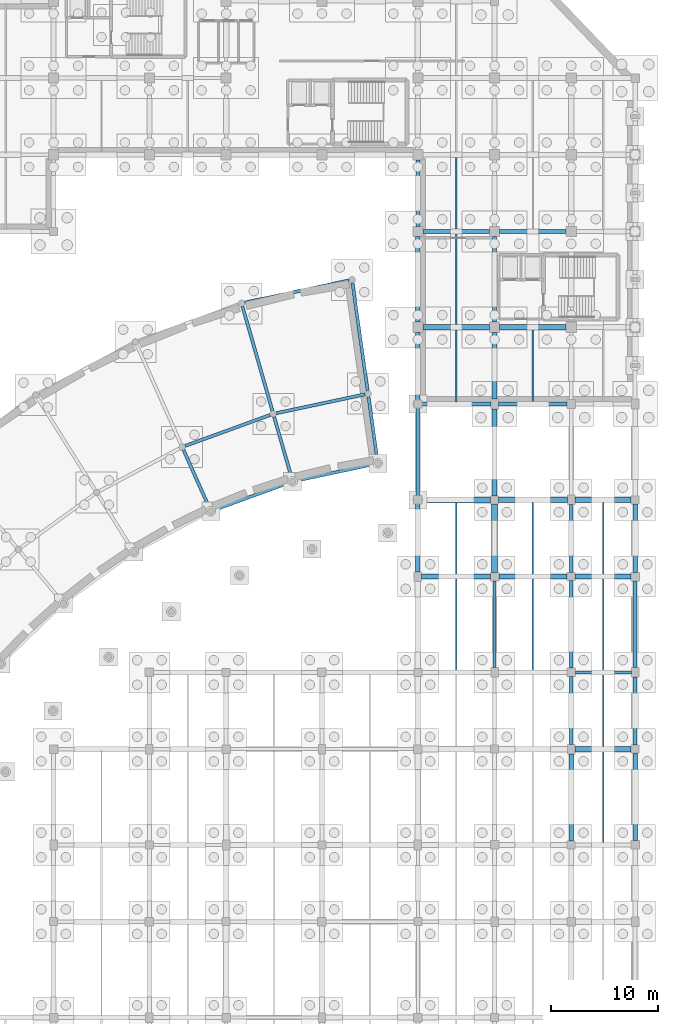
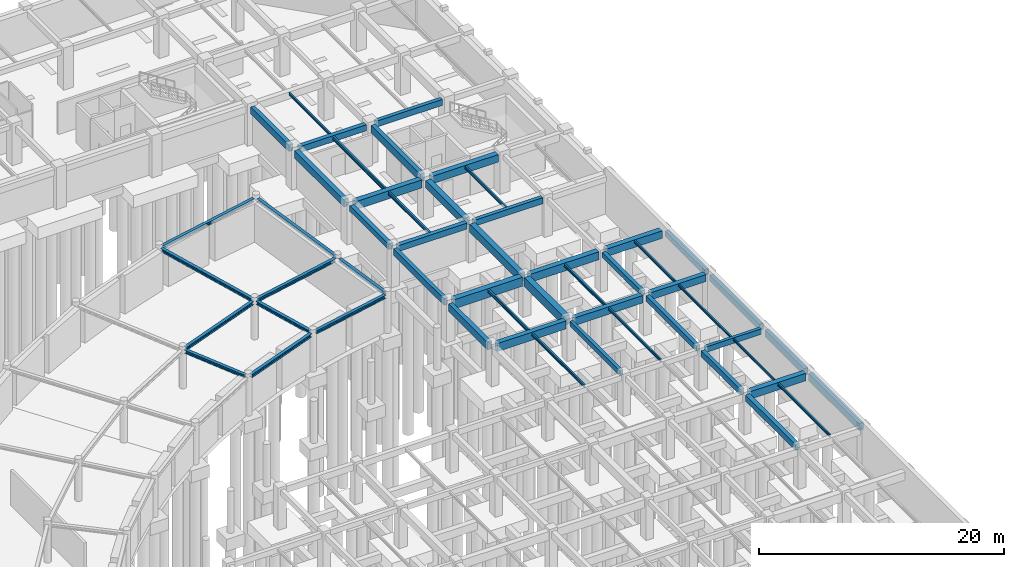
# One storey, part 26 of 42: 54 beams.
"""IFC4 building model written with IfcOpenShell, lengths in metres."""

from ifc_helpers import new_model, si_unit, direction, frame, origin, origin_2d, place, context, subcontext, project, spatial, rectangle, i_section, extrude, material, material_profile, profile_set, type_object, element, save


model = new_model("IFC4")

# Units and contexts
model_context = context("Model", 3, precision=1e-05, world=origin(), true_north=direction((0.0, 1.0)))
body_context = subcontext(model_context, "Body", "Model", "MODEL_VIEW")
ifc_project = project(units=[si_unit("LENGTHUNIT", "METRE"), si_unit("AREAUNIT", "SQUARE_METRE"), si_unit("VOLUMEUNIT", "CUBIC_METRE"), si_unit("PLANEANGLEUNIT", "RADIAN"), si_unit("MASSUNIT", "GRAM", prefix="KILO")], contexts=[model_context])

# Site, building, storey
site_placement = place(None, origin())
site = spatial("IfcSite", under=ifc_project, at=site_placement, CompositionType="ELEMENT")
building_placement = place(site_placement, origin())
building = spatial("IfcBuilding", under=site, at=building_placement, Name="Clarverna Civic Hall", CompositionType="ELEMENT")
storey_placement = place(building_placement, frame((0.0, 0.0, -4.199951171875)))
storey = spatial("IfcBuildingStorey", under=building, at=storey_placement, Name="B01", CompositionType="ELEMENT", Elevation=-4.199951171875)

# Beams
ifc_material_1 = material(Name="Concrete C35/45", Category="concrete")
ifc_material_profile_1 = material_profile(ifc_material_1, rectangle(XDim=0.35009765625, YDim=0.5, at=origin_2d()), Name="RC 350x500")
ifc_profile_set_1 = profile_set([ifc_material_profile_1], Name="Concrete C35/45")
beam_type_1 = type_object("IfcBeamType", Name="B-RC10", PredefinedType="BEAM", material=ifc_profile_set_1)
beam_1_placement = place(storey_placement, frame((162.0, 55.77490234375, 3.699951171875), z_axis=(0.0, 1.0, 0.0), x_axis=(-1.0, 0.0, 0.0)))
element("IfcBeam", 1, at=beam_1_placement, inside=storey, type_object=beam_type_1, Name="B-RC10-017", PredefinedType="BEAM", context=body_context, shape_type="SweptSolid", body=[
    extrude(rectangle(XDim=0.35009765625, YDim=0.5, at=origin_2d()), origin(), (0.0, 0.0, 1.0), 6.375),
])
ifc_material_profile_2 = material_profile(ifc_material_1, rectangle(XDim=0.300048828125, YDim=0.550048828125, at=origin_2d()), Name="RC 300x550")
ifc_profile_set_2 = profile_set([ifc_material_profile_2], Name="Concrete C35/45")
beam_type_2 = type_object("IfcBeamType", Name="B-RC11", PredefinedType="BEAM", material=ifc_profile_set_2)
beam_2_placement = place(storey_placement, frame((162.39990234375, 46.39990234375, 3.675048828125), z_axis=(1.0, 0.0, 0.0), x_axis=(0.0, 1.0, 0.0)))
element("IfcBeam", 2, at=beam_2_placement, inside=storey, type_object=beam_type_2, Name="B-RC11-005", PredefinedType="BEAM", context=body_context, shape_type="SweptSolid", body=[
    extrude(rectangle(XDim=0.300048828125, YDim=0.550048828125, at=origin_2d()), origin(), (0.0, 0.0, 1.0), 5.25),
])
ifc_material_profile_3 = material_profile(ifc_material_1, rectangle(XDim=0.300048828125, YDim=0.5, at=origin_2d()), Name="RC 300x500")
ifc_profile_set_3 = profile_set([ifc_material_profile_3], Name="Concrete C35/45")
beam_type_3 = type_object("IfcBeamType", Name="B-RC12", PredefinedType="BEAM", material=ifc_profile_set_3)
beam_3_placement = place(storey_placement, frame((154.800048828125, 46.85009765625, 3.699951171875), z_axis=(0.0, 1.0, 0.0), x_axis=(-1.0, 0.0, 0.0)))
element("IfcBeam", 3, at=beam_3_placement, inside=storey, type_object=beam_type_3, Name="B-RC12-017", PredefinedType="BEAM", context=body_context, shape_type="SweptSolid", body=[
    extrude(rectangle(XDim=0.300048828125, YDim=0.5, at=origin_2d()), origin(), (0.0, 0.0, 1.0), 8.14990234375),
])
ifc_material_profile_4 = material_profile(ifc_material_1, rectangle(XDim=0.550048828125, YDim=0.89990234375, at=origin_2d()), Name="RC 550x900")
ifc_profile_set_4 = profile_set([ifc_material_profile_4], Name="Concrete C35/45")
beam_type_4 = type_object("IfcBeamType", Name="B-RC13", PredefinedType="BEAM", material=ifc_profile_set_4)
for number, where, z_axis, x_axis, name in (
    (4, (148.0, 62.60009765625, 3.5), (1.0, 0.0, 0.0), (0.0, 1.0, 0.0), "B-RC13-006"),
    (5, (154.800048828125, 55.800048828125, 3.5), (0.0, 1.0, 0.0), (-1.0, 0.0, 0.0), "B-RC13-015"),
):
    element("IfcBeam", number, at=place(storey_placement, frame(where, z_axis=z_axis, x_axis=x_axis)), inside=storey, type_object=beam_type_4, Name=name, PredefinedType="BEAM", context=body_context, shape_type="SweptSolid", body=[
        extrude(rectangle(XDim=0.550048828125, YDim=0.89990234375, at=origin_2d()), origin(), (0.0, 0.0, 1.0), 6.425048828125),
    ])
ifc_material_profile_5 = material_profile(ifc_material_1, rectangle(XDim=0.5, YDim=0.800048828125, at=origin_2d()), Name="RC 500x800")
ifc_profile_set_5 = profile_set([ifc_material_profile_5], Name="Concrete C35/45")
beam_type_5 = type_object("IfcBeamType", Name="B-RC14", PredefinedType="BEAM", material=ifc_profile_set_5)
beam_4_placement = place(storey_placement, frame((155.175048828125, 62.60009765625, 3.550048828125), z_axis=(1.0, 0.0, 0.0), x_axis=(0.0, 1.0, 0.0)))
element("IfcBeam", 6, at=beam_4_placement, inside=storey, type_object=beam_type_5, Name="B-RC14-006", PredefinedType="BEAM", context=body_context, shape_type="SweptSolid", body=[
    extrude(rectangle(XDim=0.5, YDim=0.800048828125, at=origin_2d()), origin(), (0.0, 0.0, 1.0), 6.474853515625),
])
beam_5_placement = place(storey_placement, frame((148.074951171875, 78.800048828125, 3.43994140625), z_axis=(1.0, 0.0, 0.0), x_axis=(0.0, 1.0, 0.0)))
element("IfcBeam", 7, at=beam_5_placement, inside=storey, type_object=beam_type_5, Name="B-RC14-007", PredefinedType="BEAM", context=body_context, shape_type="SweptSolid", body=[
    extrude(rectangle(XDim=0.5, YDim=0.800048828125, at=origin_2d()), origin(), (0.0, 0.0, 1.0), 6.25),
])
beam_6_placement = place(storey_placement, frame((154.800048828125, 62.97509765625, 3.43994140625), z_axis=(0.0, 1.0, 0.0), x_axis=(-1.0, 0.0, 0.0)))
element("IfcBeam", 8, at=beam_6_placement, inside=storey, type_object=beam_type_5, Name="B-RC14-016", PredefinedType="BEAM", context=body_context, shape_type="SweptSolid", body=[
    extrude(rectangle(XDim=0.5, YDim=0.800048828125, at=origin_2d()), origin(), (0.0, 0.0, 1.0), 8.1748046875),
])
ifc_material_profile_6 = material_profile(ifc_material_1, rectangle(XDim=0.5, YDim=0.75, at=origin_2d()), Name="RC 500x750")
ifc_profile_set_6 = profile_set([ifc_material_profile_6], Name="Concrete C35/45")
beam_type_6 = type_object("IfcBeamType", Name="B-RC15", PredefinedType="BEAM", material=ifc_profile_set_6)
for number, where, z_axis, x_axis, name in (
    (9, (162.35009765625, 39.199951171875, 3.574951171875), (1.0, 0.0, 0.0), (0.0, 1.0, 0.0), "B-RC15-004"),
    (10, (162.35009765625, 62.60009765625, 3.574951171875), (1.0, 0.0, 0.0), (0.0, 1.0, 0.0), "B-RC15-006"),
):
    element("IfcBeam", number, at=place(storey_placement, frame(where, z_axis=z_axis, x_axis=x_axis)), inside=storey, type_object=beam_type_6, Name=name, PredefinedType="BEAM", context=body_context, shape_type="SweptSolid", body=[
        extrude(rectangle(XDim=0.5, YDim=0.75, at=origin_2d()), origin(), (0.0, 0.0, 1.0), 5.27490234375),
    ])
beam_7_placement = place(storey_placement, frame((155.27490234375, 78.800048828125, 3.46484375), z_axis=(1.0, 0.0, 0.0), x_axis=(0.0, 1.0, 0.0)))
element("IfcBeam", 11, at=beam_7_placement, inside=storey, type_object=beam_type_6, Name="B-RC15-007", PredefinedType="BEAM", context=body_context, shape_type="SweptSolid", body=[
    extrude(rectangle(XDim=0.5, YDim=0.75, at=origin_2d()), origin(), (0.0, 0.0, 1.0), 6.25),
])
beam_8_placement = place(storey_placement, frame((154.800048828125, 72.050048828125, 3.46484375), z_axis=(0.0, 1.0, 0.0), x_axis=(-1.0, 0.0, 0.0)))
element("IfcBeam", 12, at=beam_8_placement, inside=storey, type_object=beam_type_6, Name="B-RC15-016", PredefinedType="BEAM", context=body_context, shape_type="SweptSolid", body=[
    extrude(rectangle(XDim=0.5, YDim=0.75, at=origin_2d()), origin(), (0.0, 0.0, 1.0), 6.27490234375),
])
ifc_material_profile_7 = material_profile(ifc_material_1, rectangle(XDim=0.39990234375, YDim=0.75, at=origin_2d()), Name="RC 400x750")
ifc_profile_set_7 = profile_set([ifc_material_profile_7], Name="Concrete C35/45")
beam_type_7 = type_object("IfcBeamType", Name="B-RC16", PredefinedType="BEAM", material=ifc_profile_set_7)
beam_9_placement = place(storey_placement, frame((147.60009765625, 55.85009765625, 3.46484375), z_axis=(0.0, 1.0, 0.0), x_axis=(-1.0, 0.0, 0.0)))
element("IfcBeam", 13, at=beam_9_placement, inside=storey, type_object=beam_type_7, Name="B-RC16-015", PredefinedType="BEAM", context=body_context, shape_type="SweptSolid", body=[
    extrude(rectangle(XDim=0.39990234375, YDim=0.75, at=origin_2d()), origin(), (0.0, 0.0, 1.0), 6.349853515625),
])
beam_10_placement = place(storey_placement, frame((154.800048828125, 79.27490234375, 3.46484375), z_axis=(0.0, 1.0, 0.0), x_axis=(-1.0, 0.0, 0.0)))
element("IfcBeam", 14, at=beam_10_placement, inside=storey, type_object=beam_type_7, Name="B-RC16-016", PredefinedType="BEAM", context=body_context, shape_type="SweptSolid", body=[
    extrude(rectangle(XDim=0.39990234375, YDim=0.75, at=origin_2d()), origin(), (0.0, 0.0, 1.0), 8.050048828125),
])
ifc_material_profile_8 = material_profile(ifc_material_1, rectangle(XDim=0.35009765625, YDim=0.64990234375, at=origin_2d()), Name="RC 350x650")
ifc_profile_set_8 = profile_set([ifc_material_profile_8], Name="Concrete C35/45")
beam_type_8 = type_object("IfcBeamType", Name="B-RC17", PredefinedType="BEAM", material=ifc_profile_set_8)
beam_11_placement = place(storey_placement, frame((147.60009765625, 63.0, 3.514892578125), z_axis=(0.0, 1.0, 0.0), x_axis=(-1.0, 0.0, 0.0)))
element("IfcBeam", 15, at=beam_11_placement, inside=storey, type_object=beam_type_8, Name="B-RC17-015", PredefinedType="BEAM", context=body_context, shape_type="SweptSolid", body=[
    extrude(rectangle(XDim=0.35009765625, YDim=0.64990234375, at=origin_2d()), origin(), (0.0, 0.0, 1.0), 8.22509765625),
])
ifc_material_profile_9 = material_profile(ifc_material_1, rectangle(XDim=0.449951171875, YDim=0.800048828125, at=origin_2d()), Name="RC 450x800")
ifc_profile_set_9 = profile_set([ifc_material_profile_9], Name="Concrete C35/45")
beam_type_9 = type_object("IfcBeamType", Name="B-RC2", PredefinedType="BEAM", material=ifc_profile_set_9)
beam_12_placement = place(storey_placement, frame((147.949951171875, 55.39990234375, 3.550048828125), z_axis=(1.0, 0.0, 0.0), x_axis=(0.0, 1.0, 0.0)))
element("IfcBeam", 16, at=beam_12_placement, inside=storey, type_object=beam_type_9, Name="B-RC2-004", PredefinedType="BEAM", context=body_context, shape_type="SweptSolid", body=[
    extrude(rectangle(XDim=0.449951171875, YDim=0.800048828125, at=origin_2d()), origin(), (0.0, 0.0, 1.0), 6.449951171875),
])
ifc_material_profile_10 = material_profile(ifc_material_1, rectangle(XDim=0.449951171875, YDim=0.75, at=origin_2d()), Name="RC 450x750")
ifc_profile_set_10 = profile_set([ifc_material_profile_10], Name="Concrete C35/45")
beam_type_10 = type_object("IfcBeamType", Name="B-RC3", PredefinedType="BEAM", material=ifc_profile_set_10)
beam_13_placement = place(storey_placement, frame((155.199951171875, 55.39990234375, 3.574951171875), z_axis=(1.0, 0.0, 0.0), x_axis=(0.0, 1.0, 0.0)))
element("IfcBeam", 17, at=beam_13_placement, inside=storey, type_object=beam_type_10, Name="B-RC3-005", PredefinedType="BEAM", context=body_context, shape_type="SweptSolid", body=[
    extrude(rectangle(XDim=0.449951171875, YDim=0.75, at=origin_2d()), origin(), (0.0, 0.0, 1.0), 6.425048828125),
])
ifc_material_profile_11 = material_profile(ifc_material_1, rectangle(XDim=0.449951171875, YDim=0.699951171875, at=origin_2d()), Name="RC 450x700")
ifc_profile_set_11 = profile_set([ifc_material_profile_11], Name="Concrete C35/45")
beam_type_11 = type_object("IfcBeamType", Name="B-RC4", PredefinedType="BEAM", material=ifc_profile_set_11)
beam_14_placement = place(storey_placement, frame((162.375, 55.39990234375, 3.599853515625), z_axis=(1.0, 0.0, 0.0), x_axis=(0.0, 1.0, 0.0)))
element("IfcBeam", 18, at=beam_14_placement, inside=storey, type_object=beam_type_11, Name="B-RC4-006", PredefinedType="BEAM", context=body_context, shape_type="SweptSolid", body=[
    extrude(rectangle(XDim=0.449951171875, YDim=0.699951171875, at=origin_2d()), origin(), (0.0, 0.0, 1.0), 5.22509765625),
])
ifc_material_profile_12 = material_profile(ifc_material_1, rectangle(XDim=0.39990234375, YDim=0.60009765625, at=origin_2d()), Name="RC 400x600")
ifc_profile_set_12 = profile_set([ifc_material_profile_12], Name="Concrete C35/45")
beam_type_12 = type_object("IfcBeamType", Name="B-RC7", PredefinedType="BEAM", material=ifc_profile_set_12)
beam_15_placement = place(storey_placement, frame((147.97509765625, 71.60009765625, 3.5400390625), z_axis=(1.0, 0.0, 0.0), x_axis=(0.0, 1.0, 0.0)))
element("IfcBeam", 19, at=beam_15_placement, inside=storey, type_object=beam_type_12, Name="B-RC7-006", PredefinedType="BEAM", context=body_context, shape_type="SweptSolid", body=[
    extrude(rectangle(XDim=0.39990234375, YDim=0.60009765625, at=origin_2d()), origin(), (0.0, 0.0, 1.0), 6.474853515625),
])
beam_16_placement = place(storey_placement, frame((148.074951171875, 87.800048828125, 3.5400390625), z_axis=(1.0, 0.0, 0.0), x_axis=(0.0, 1.0, 0.0)))
element("IfcBeam", 20, at=beam_16_placement, inside=storey, type_object=beam_type_12, Name="B-RC7-007", PredefinedType="BEAM", context=body_context, shape_type="SweptSolid", body=[
    extrude(rectangle(XDim=0.39990234375, YDim=0.60009765625, at=origin_2d()), origin(), (0.0, 0.0, 1.0), 6.25),
])
beam_17_placement = place(storey_placement, frame((162.0, 30.574951171875, 3.64990234375), z_axis=(0.0, 1.0, 0.0), x_axis=(-1.0, 0.0, 0.0)))
element("IfcBeam", 21, at=beam_17_placement, inside=storey, type_object=beam_type_12, Name="B-RC7-016", PredefinedType="BEAM", context=body_context, shape_type="SweptSolid", body=[
    extrude(rectangle(XDim=0.39990234375, YDim=0.60009765625, at=origin_2d()), origin(), (0.0, 0.0, 1.0), 8.175048828125),
])
ifc_material_profile_13 = material_profile(ifc_material_1, rectangle(XDim=0.35009765625, YDim=0.60009765625, at=origin_2d()), Name="RC 350x600")
ifc_profile_set_13 = profile_set([ifc_material_profile_13], Name="Concrete C35/45")
beam_type_13 = type_object("IfcBeamType", Name="B-RC8", PredefinedType="BEAM", material=ifc_profile_set_13)
beam_18_placement = place(storey_placement, frame((155.14990234375, 71.60009765625, 3.5400390625), z_axis=(1.0, 0.0, 0.0), x_axis=(0.0, 1.0, 0.0)))
element("IfcBeam", 22, at=beam_18_placement, inside=storey, type_object=beam_type_13, Name="B-RC8-006", PredefinedType="BEAM", context=body_context, shape_type="SweptSolid", body=[
    extrude(rectangle(XDim=0.35009765625, YDim=0.60009765625, at=origin_2d()), origin(), (0.0, 0.0, 1.0), 6.4501953125),
])
beam_19_placement = place(storey_placement, frame((155.27490234375, 87.800048828125, 3.5400390625), z_axis=(1.0, 0.0, 0.0), x_axis=(0.0, 1.0, 0.0)))
element("IfcBeam", 23, at=beam_19_placement, inside=storey, type_object=beam_type_13, Name="B-RC8-007", PredefinedType="BEAM", context=body_context, shape_type="SweptSolid", body=[
    extrude(rectangle(XDim=0.35009765625, YDim=0.60009765625, at=origin_2d()), origin(), (0.0, 0.0, 1.0), 6.25),
])
beam_20_placement = place(storey_placement, frame((162.0, 39.64990234375, 3.64990234375), z_axis=(0.0, 1.0, 0.0), x_axis=(-1.0, 0.0, 0.0)))
element("IfcBeam", 24, at=beam_20_placement, inside=storey, type_object=beam_type_13, Name="B-RC8-016", PredefinedType="BEAM", context=body_context, shape_type="SweptSolid", body=[
    extrude(rectangle(XDim=0.35009765625, YDim=0.60009765625, at=origin_2d()), origin(), (0.0, 0.0, 1.0), 6.35009765625),
])
ifc_material_profile_14 = material_profile(ifc_material_1, rectangle(XDim=0.35009765625, YDim=0.550048828125, at=origin_2d()), Name="RC 350x550")
ifc_profile_set_14 = profile_set([ifc_material_profile_14], Name="Concrete C35/45")
beam_type_14 = type_object("IfcBeamType", Name="B-RC9", PredefinedType="BEAM", material=ifc_profile_set_14)
beam_21_placement = place(storey_placement, frame((162.0, 46.800048828125, 3.675048828125), z_axis=(0.0, 1.0, 0.0), x_axis=(-1.0, 0.0, 0.0)))
element("IfcBeam", 25, at=beam_21_placement, inside=storey, type_object=beam_type_14, Name="B-RC9-016", PredefinedType="BEAM", context=body_context, shape_type="SweptSolid", body=[
    extrude(rectangle(XDim=0.35009765625, YDim=0.550048828125, at=origin_2d()), origin(), (0.0, 0.0, 1.0), 8.224853515625),
])
ifc_material_profile_15 = material_profile(ifc_material_1, rectangle(XDim=0.419921875, YDim=0.719970703125, at=origin_2d()), Name="RC 420x720")
ifc_profile_set_15 = profile_set([ifc_material_profile_15], Name="Concrete C35/45")
beam_type_15 = type_object("IfcBeamType", Name="B-SP1", PredefinedType="SPANDREL", material=ifc_profile_set_15)
beam_22_placement = place(storey_placement, frame((147.60009765625, 79.27490234375, 3.47998046875), z_axis=(0.0, 1.0, 0.0), x_axis=(-1.0, 0.0, 0.0)))
element("IfcBeam", 26, at=beam_22_placement, inside=storey, type_object=beam_type_15, Name="B-SP1-029", PredefinedType="SPANDREL", context=body_context, shape_type="SweptSolid", body=[
    extrude(rectangle(XDim=0.419921875, YDim=0.719970703125, at=origin_2d()), origin(), (0.0, 0.0, 1.0), 8.050048828125),
])
beam_23_placement = place(storey_placement, frame((168.0, 30.60009765625, 3.58984375), z_axis=(0.0, 1.0, 0.0), x_axis=(-1.0, 0.0, 0.0)))
element("IfcBeam", 27, at=beam_23_placement, inside=storey, type_object=beam_type_15, Name="B-SP1-031", PredefinedType="SPANDREL", context=body_context, shape_type="SweptSolid", body=[
    extrude(rectangle(XDim=0.419921875, YDim=0.719970703125, at=origin_2d()), origin(), (0.0, 0.0, 1.0), 8.224853515625),
])
ifc_material_profile_16 = material_profile(ifc_material_1, rectangle(XDim=0.3798828125, YDim=0.679931640625, at=origin_2d()), Name="RC 380x680")
ifc_profile_set_16 = profile_set([ifc_material_profile_16], Name="Concrete C35/45")
beam_type_16 = type_object("IfcBeamType", Name="B-SP2", PredefinedType="SPANDREL", material=ifc_profile_set_16)
beam_24_placement = place(storey_placement, frame((147.60009765625, 88.27490234375, 3.5), z_axis=(0.0, 1.0, 0.0), x_axis=(-1.0, 0.0, 0.0)))
element("IfcBeam", 28, at=beam_24_placement, inside=storey, type_object=beam_type_16, Name="B-SP2-028", PredefinedType="SPANDREL", context=body_context, shape_type="SweptSolid", body=[
    extrude(rectangle(XDim=0.3798828125, YDim=0.679931640625, at=origin_2d()), origin(), (0.0, 0.0, 1.0), 6.25),
])
beam_25_placement = place(storey_placement, frame((168.0, 39.574951171875, 3.60986328125), z_axis=(0.0, 1.0, 0.0), x_axis=(-1.0, 0.0, 0.0)))
element("IfcBeam", 29, at=beam_25_placement, inside=storey, type_object=beam_type_16, Name="B-SP2-030", PredefinedType="SPANDREL", context=body_context, shape_type="SweptSolid", body=[
    extrude(rectangle(XDim=0.3798828125, YDim=0.679931640625, at=origin_2d()), origin(), (0.0, 0.0, 1.0), 6.375),
])
ifc_material_profile_17 = material_profile(ifc_material_1, rectangle(XDim=0.360107421875, YDim=0.6201171875, at=origin_2d()), Name="RC 360x620")
ifc_profile_set_17 = profile_set([ifc_material_profile_17], Name="Concrete C35/45")
beam_type_17 = type_object("IfcBeamType", Name="B-SP3", PredefinedType="SPANDREL", material=ifc_profile_set_17)
beam_26_placement = place(storey_placement, frame((168.0, 46.85009765625, 3.639892578125), z_axis=(0.0, 1.0, 0.0), x_axis=(-1.0, 0.0, 0.0)))
element("IfcBeam", 30, at=beam_26_placement, inside=storey, type_object=beam_type_17, Name="B-SP3-030", PredefinedType="SPANDREL", context=body_context, shape_type="SweptSolid", body=[
    extrude(rectangle(XDim=0.360107421875, YDim=0.6201171875, at=origin_2d()), origin(), (0.0, 0.0, 1.0), 8.14990234375),
])
ifc_material_profile_18 = material_profile(ifc_material_1, rectangle(XDim=0.39990234375, YDim=0.56005859375, at=origin_2d()), Name="RC 400x560")
ifc_profile_set_18 = profile_set([ifc_material_profile_18], Name="Concrete C35/45")
beam_type_18 = type_object("IfcBeamType", Name="B-SP4", PredefinedType="SPANDREL", material=ifc_profile_set_18)
beam_27_placement = place(storey_placement, frame((147.60009765625, 71.97509765625, 3.56005859375), z_axis=(0.0, 1.0, 0.0), x_axis=(-1.0, 0.0, 0.0)))
element("IfcBeam", 31, at=beam_27_placement, inside=storey, type_object=beam_type_18, Name="B-SP4-029", PredefinedType="SPANDREL", context=body_context, shape_type="SweptSolid", body=[
    extrude(rectangle(XDim=0.39990234375, YDim=0.56005859375, at=origin_2d()), origin(), (0.0, 0.0, 1.0), 6.349853515625),
])
beam_28_placement = place(storey_placement, frame((168.0, 55.800048828125, 3.669921875), z_axis=(0.0, 1.0, 0.0), x_axis=(-1.0, 0.0, 0.0)))
element("IfcBeam", 32, at=beam_28_placement, inside=storey, type_object=beam_type_18, Name="B-SP4-031", PredefinedType="SPANDREL", context=body_context, shape_type="SweptSolid", body=[
    extrude(rectangle(XDim=0.39990234375, YDim=0.56005859375, at=origin_2d()), origin(), (0.0, 0.0, 1.0), 6.425048828125),
])
ifc_material_2 = material(Name="Steel S355", Category="steel")
ifc_material_profile_19 = material_profile(ifc_material_2, i_section(OverallWidth=0.300048828125, OverallDepth=0.330078125, WebThickness=0.009521484375, FlangeThickness=0.0166015625, FilletRadius=0.027099609375, at=origin_2d()), Name="HEA 340")
ifc_profile_set_19 = profile_set([ifc_material_profile_19], Name="Steel S355")
beam_type_19 = type_object("IfcBeamType", Name="B-ST8", PredefinedType="BEAM", material=ifc_profile_set_19)
for number, where, z_axis, x_axis, name in (
    (33, (143.565673828125, 65.970458984375, 3.675048828125), (-0.978146366806, -0.207917495908, 0.0), (0.207917495908, -0.978146366806, 0.0), "B-ST8-001"),
    (34, (135.579833984375, 64.232421875, 3.675048828125), (-0.939697786127, -0.342005951334, 0.0), (0.342005951334, -0.939697786127, 0.0), "B-ST8-002"),
):
    element("IfcBeam", number, at=place(storey_placement, frame(where, z_axis=z_axis, x_axis=x_axis)), inside=storey, type_object=beam_type_19, Name=name, PredefinedType="BEAM", context=body_context, shape_type="SweptSolid", body=[
        extrude(i_section(OverallWidth=0.300048828125, OverallDepth=0.330078125, WebThickness=0.009521484375, FlangeThickness=0.0166015625, FilletRadius=0.027099609375, at=origin_2d()), origin(), (0.0, 0.0, 1.0), 7.60546875),
    ])
beam_29_placement = place(storey_placement, frame((142.647216796875, 72.506103515625, 3.675048828125), z_axis=(-0.978154266042, -0.207880330537, 0.0), x_axis=(0.207880330537, -0.978154266042, 0.0)))
element("IfcBeam", 35, at=beam_29_placement, inside=storey, type_object=beam_type_19, Name="B-ST8-010", PredefinedType="BEAM", context=body_context, shape_type="SweptSolid", body=[
    extrude(i_section(OverallWidth=0.300048828125, OverallDepth=0.330078125, WebThickness=0.009521484375, FlangeThickness=0.0166015625, FilletRadius=0.027099609375, at=origin_2d()), origin(), (0.0, 0.0, 1.0), 8.5263671875),
])
beam_30_placement = place(storey_placement, frame((133.760498046875, 70.576904296875, 3.675048828125), z_axis=(-0.939687201832, -0.342035031413, 0.0), x_axis=(0.342035031413, -0.939687201832, 0.0)))
element("IfcBeam", 36, at=beam_30_placement, inside=storey, type_object=beam_type_19, Name="B-ST8-011", PredefinedType="BEAM", context=body_context, shape_type="SweptSolid", body=[
    extrude(i_section(OverallWidth=0.300048828125, OverallDepth=0.330078125, WebThickness=0.009521484375, FlangeThickness=0.0166015625, FilletRadius=0.027099609375, at=origin_2d()), origin(), (0.0, 0.0, 1.0), 8.526123046875),
])
beam_31_placement = place(storey_placement, frame((141.14404296875, 83.201171875, 3.675048828125), z_axis=(-0.978148274299, -0.20790852192, 0.0), x_axis=(0.20790852192, -0.978148274299, 0.0)))
element("IfcBeam", 37, at=beam_31_placement, inside=storey, type_object=beam_type_19, Name="B-ST8-019", PredefinedType="BEAM", context=body_context, shape_type="SweptSolid", body=[
    extrude(i_section(OverallWidth=0.300048828125, OverallDepth=0.330078125, WebThickness=0.009521484375, FlangeThickness=0.0166015625, FilletRadius=0.027099609375, at=origin_2d()), origin(), (0.0, 0.0, 1.0), 10.032958984375),
])
ifc_material_profile_20 = material_profile(ifc_material_2, i_section(OverallWidth=0.300048828125, OverallDepth=0.31005859375, WebThickness=0.009033203125, FlangeThickness=0.015380859375, FilletRadius=0.027099609375, at=origin_2d()), Name="HEA 320")
ifc_profile_set_20 = profile_set([ifc_material_profile_20], Name="Steel S355")
beam_type_20 = type_object("IfcBeamType", Name="B-ST9", PredefinedType="BEAM", material=ifc_profile_set_20)
beam_32_placement = place(storey_placement, frame((143.8046875, 66.31201171875, 3.68505859375), z_axis=(-0.139159294344, 0.990270009037, 0.0), x_axis=(-0.990270009037, -0.139159294344, 0.0)))
element("IfcBeam", 38, at=beam_32_placement, inside=storey, type_object=beam_type_20, Name="B-ST9-001", PredefinedType="BEAM", context=body_context, shape_type="SweptSolid", body=[
    extrude(i_section(OverallWidth=0.300048828125, OverallDepth=0.31005859375, WebThickness=0.009033203125, FlangeThickness=0.015380859375, FilletRadius=0.027099609375, at=origin_2d()), origin(), (0.0, 0.0, 1.0), 6.02978515625),
])
beam_33_placement = place(storey_placement, frame((142.88623046875, 72.84765625, 3.68505859375), z_axis=(-0.1391791403, 0.990267219949, 0.0), x_axis=(-0.990267219949, -0.1391791403, 0.0)))
element("IfcBeam", 39, at=beam_33_placement, inside=storey, type_object=beam_type_20, Name="B-ST9-002", PredefinedType="BEAM", context=body_context, shape_type="SweptSolid", body=[
    extrude(i_section(OverallWidth=0.300048828125, OverallDepth=0.31005859375, WebThickness=0.009033203125, FlangeThickness=0.015380859375, FilletRadius=0.027099609375, at=origin_2d()), origin(), (0.0, 0.0, 1.0), 10.230224609375),
])
beam_34_placement = place(storey_placement, frame((135.76904296875, 64.60400390625, 3.68505859375), z_axis=(-0.275640762198, 0.961260719168, 0.0), x_axis=(-0.961260719168, -0.275640762198, 0.0)))
element("IfcBeam", 40, at=beam_34_placement, inside=storey, type_object=beam_type_20, Name="B-ST9-003", PredefinedType="BEAM", context=body_context, shape_type="SweptSolid", body=[
    extrude(i_section(OverallWidth=0.300048828125, OverallDepth=0.31005859375, WebThickness=0.009033203125, FlangeThickness=0.015380859375, FilletRadius=0.027099609375, at=origin_2d()), origin(), (0.0, 0.0, 1.0), 6.030029296875),
])
beam_35_placement = place(storey_placement, frame((133.94970703125, 70.9482421875, 3.68505859375), z_axis=(-0.275619330594, 0.961266864405, 0.0), x_axis=(-0.961266864405, -0.275619330594, 0.0)))
element("IfcBeam", 41, at=beam_35_placement, inside=storey, type_object=beam_type_20, Name="B-ST9-004", PredefinedType="BEAM", context=body_context, shape_type="SweptSolid", body=[
    extrude(i_section(OverallWidth=0.300048828125, OverallDepth=0.31005859375, WebThickness=0.009033203125, FlangeThickness=0.015380859375, FilletRadius=0.027099609375, at=origin_2d()), origin(), (0.0, 0.0, 1.0), 10.22998046875),
])
beam_36_placement = place(storey_placement, frame((128.04931640625, 61.794189453125, 3.68505859375), z_axis=(-0.406746954936, 0.913540866437, 0.0), x_axis=(-0.913540866437, -0.406746954936, 0.0)))
element("IfcBeam", 42, at=beam_36_placement, inside=storey, type_object=beam_type_20, Name="B-ST9-005", PredefinedType="BEAM", context=body_context, shape_type="SweptSolid", body=[
    extrude(i_section(OverallWidth=0.300048828125, OverallDepth=0.31005859375, WebThickness=0.009033203125, FlangeThickness=0.015380859375, FilletRadius=0.027099609375, at=origin_2d()), origin(), (0.0, 0.0, 1.0), 6.02978515625),
])
ifc_material_profile_21 = material_profile(ifc_material_2, i_section(OverallWidth=0.169921875, OverallDepth=0.360107421875, WebThickness=0.008056640625, FlangeThickness=0.0126953125, FilletRadius=0.01806640625, at=origin_2d()), Name="IPE 360")
ifc_profile_set_21 = profile_set([ifc_material_profile_21], Name="Steel S355")
beam_type_21 = type_object("IfcBeamType", Name="J-ST1", PredefinedType="JOIST", material=ifc_profile_set_21)
beam_37_placement = place(storey_placement, frame((151.199951171875, 79.050048828125, 3.659912109375), z_axis=(0.0, 1.0, 0.0), x_axis=(-1.0, 0.0, 0.0)))
element("IfcBeam", 43, at=beam_37_placement, inside=storey, type_object=beam_type_21, Name="J-ST1-017", PredefinedType="JOIST", context=body_context, shape_type="SweptSolid", body=[
    extrude(i_section(OverallWidth=0.169921875, OverallDepth=0.360107421875, WebThickness=0.008056640625, FlangeThickness=0.0126953125, FilletRadius=0.01806640625, at=origin_2d()), origin(), (0.0, 0.0, 1.0), 8.550048828125),
])
ifc_material_profile_22 = material_profile(ifc_material_2, i_section(OverallWidth=0.159912109375, OverallDepth=0.330078125, WebThickness=0.007568359375, FlangeThickness=0.011474609375, FilletRadius=0.01806640625, at=origin_2d()), Name="IPE 330")
ifc_profile_set_22 = profile_set([ifc_material_profile_22], Name="Steel S355")
beam_type_22 = type_object("IfcBeamType", Name="J-ST2", PredefinedType="JOIST", material=ifc_profile_set_22)
beam_38_placement = place(storey_placement, frame((151.199951171875, 55.625, 3.784912109375), z_axis=(0.0, 1.0, 0.0), x_axis=(-1.0, 0.0, 0.0)))
element("IfcBeam", 44, at=beam_38_placement, inside=storey, type_object=beam_type_22, Name="J-ST2-014", PredefinedType="JOIST", context=body_context, shape_type="SweptSolid", body=[
    extrude(i_section(OverallWidth=0.159912109375, OverallDepth=0.330078125, WebThickness=0.007568359375, FlangeThickness=0.011474609375, FilletRadius=0.01806640625, at=origin_2d()), origin(), (0.0, 0.0, 1.0), 6.699951171875),
])
beam_39_placement = place(storey_placement, frame((151.199951171875, 71.800048828125, 3.675048828125), z_axis=(0.0, 1.0, 0.0), x_axis=(-1.0, 0.0, 0.0)))
element("IfcBeam", 45, at=beam_39_placement, inside=storey, type_object=beam_type_22, Name="J-ST2-016", PredefinedType="JOIST", context=body_context, shape_type="SweptSolid", body=[
    extrude(i_section(OverallWidth=0.159912109375, OverallDepth=0.330078125, WebThickness=0.007568359375, FlangeThickness=0.011474609375, FilletRadius=0.01806640625, at=origin_2d()), origin(), (0.0, 0.0, 1.0), 6.75),
])
ifc_material_profile_23 = material_profile(ifc_material_2, i_section(OverallWidth=0.14990234375, OverallDepth=0.300048828125, WebThickness=0.007080078125, FlangeThickness=0.0107421875, FilletRadius=0.014892578125, at=origin_2d()), Name="IPE 300")
ifc_profile_set_23 = profile_set([ifc_material_profile_23], Name="Steel S355")
beam_type_23 = type_object("IfcBeamType", Name="J-ST3", PredefinedType="JOIST", material=ifc_profile_set_23)
beam_40_placement = place(storey_placement, frame((151.199951171875, 46.574951171875, 3.800048828125), z_axis=(0.0, 1.0, 0.0), x_axis=(-1.0, 0.0, 0.0)))
element("IfcBeam", 46, at=beam_40_placement, inside=storey, type_object=beam_type_23, Name="J-ST3-012", PredefinedType="JOIST", context=body_context, shape_type="SweptSolid", body=[
    extrude(i_section(OverallWidth=0.14990234375, OverallDepth=0.300048828125, WebThickness=0.007080078125, FlangeThickness=0.0107421875, FilletRadius=0.014892578125, at=origin_2d()), origin(), (0.0, 0.0, 1.0), 8.60009765625),
])
beam_41_placement = place(storey_placement, frame((158.39990234375, 55.625, 3.800048828125), z_axis=(0.0, 1.0, 0.0), x_axis=(-1.0, 0.0, 0.0)))
element("IfcBeam", 47, at=beam_41_placement, inside=storey, type_object=beam_type_23, Name="J-ST3-014", PredefinedType="JOIST", context=body_context, shape_type="SweptSolid", body=[
    extrude(i_section(OverallWidth=0.14990234375, OverallDepth=0.300048828125, WebThickness=0.007080078125, FlangeThickness=0.0107421875, FilletRadius=0.014892578125, at=origin_2d()), origin(), (0.0, 0.0, 1.0), 6.72509765625),
])
beam_42_placement = place(storey_placement, frame((158.39990234375, 71.77490234375, 3.68994140625), z_axis=(0.0, 1.0, 0.0), x_axis=(-1.0, 0.0, 0.0)))
element("IfcBeam", 48, at=beam_42_placement, inside=storey, type_object=beam_type_23, Name="J-ST3-016", PredefinedType="JOIST", context=body_context, shape_type="SweptSolid", body=[
    extrude(i_section(OverallWidth=0.14990234375, OverallDepth=0.300048828125, WebThickness=0.007080078125, FlangeThickness=0.0107421875, FilletRadius=0.014892578125, at=origin_2d()), origin(), (0.0, 0.0, 1.0), 6.775146484375),
])
ifc_material_profile_24 = material_profile(ifc_material_2, i_section(OverallWidth=0.135009765625, OverallDepth=0.27001953125, WebThickness=0.006591796875, FlangeThickness=0.01025390625, FilletRadius=0.014892578125, at=origin_2d()), Name="IPE 270")
ifc_profile_set_24 = profile_set([ifc_material_profile_24], Name="Steel S355")
beam_type_24 = type_object("IfcBeamType", Name="J-ST4", PredefinedType="JOIST", material=ifc_profile_set_24)
beam_43_placement = place(storey_placement, frame((165.0, 30.39990234375, 3.81494140625), z_axis=(0.0, 1.0, 0.0), x_axis=(-1.0, 0.0, 0.0)))
element("IfcBeam", 49, at=beam_43_placement, inside=storey, type_object=beam_type_24, Name="J-ST4-011", PredefinedType="JOIST", context=body_context, shape_type="SweptSolid", body=[
    extrude(i_section(OverallWidth=0.135009765625, OverallDepth=0.27001953125, WebThickness=0.006591796875, FlangeThickness=0.01025390625, FilletRadius=0.014892578125, at=origin_2d()), origin(), (0.0, 0.0, 1.0), 8.550048828125),
])
beam_44_placement = place(storey_placement, frame((158.39990234375, 46.574951171875, 3.81494140625), z_axis=(0.0, 1.0, 0.0), x_axis=(-1.0, 0.0, 0.0)))
element("IfcBeam", 50, at=beam_44_placement, inside=storey, type_object=beam_type_24, Name="J-ST4-014", PredefinedType="JOIST", context=body_context, shape_type="SweptSolid", body=[
    extrude(i_section(OverallWidth=0.135009765625, OverallDepth=0.27001953125, WebThickness=0.006591796875, FlangeThickness=0.01025390625, FilletRadius=0.014892578125, at=origin_2d()), origin(), (0.0, 0.0, 1.0), 8.60009765625),
])
beam_45_placement = place(storey_placement, frame((165.0, 55.625, 3.81494140625), z_axis=(0.0, 1.0, 0.0), x_axis=(-1.0, 0.0, 0.0)))
element("IfcBeam", 51, at=beam_45_placement, inside=storey, type_object=beam_type_24, Name="J-ST4-016", PredefinedType="JOIST", context=body_context, shape_type="SweptSolid", body=[
    extrude(i_section(OverallWidth=0.135009765625, OverallDepth=0.27001953125, WebThickness=0.006591796875, FlangeThickness=0.01025390625, FilletRadius=0.014892578125, at=origin_2d()), origin(), (0.0, 0.0, 1.0), 6.72509765625),
])
beam_46_placement = place(storey_placement, frame((151.199951171875, 88.0, 3.704833984375), z_axis=(0.0, 1.0, 0.0), x_axis=(-1.0, 0.0, 0.0)))
element("IfcBeam", 52, at=beam_46_placement, inside=storey, type_object=beam_type_24, Name="J-ST4-020", PredefinedType="JOIST", context=body_context, shape_type="SweptSolid", body=[
    extrude(i_section(OverallWidth=0.135009765625, OverallDepth=0.27001953125, WebThickness=0.006591796875, FlangeThickness=0.01025390625, FilletRadius=0.014892578125, at=origin_2d()), origin(), (0.0, 0.0, 1.0), 6.77490234375),
])
ifc_material_profile_25 = material_profile(ifc_material_2, i_section(OverallWidth=0.1201171875, OverallDepth=0.239990234375, WebThickness=0.006103515625, FlangeThickness=0.009765625, FilletRadius=0.014892578125, at=origin_2d()), Name="IPE 240")
ifc_profile_set_25 = profile_set([ifc_material_profile_25], Name="Steel S355")
beam_type_25 = type_object("IfcBeamType", Name="J-ST5", PredefinedType="JOIST", material=ifc_profile_set_25)
beam_47_placement = place(storey_placement, frame((165.0, 46.550048828125, 3.829833984375), z_axis=(0.0, 1.0, 0.0), x_axis=(-1.0, 0.0, 0.0)))
element("IfcBeam", 53, at=beam_47_placement, inside=storey, type_object=beam_type_25, Name="J-ST5-012", PredefinedType="JOIST", context=body_context, shape_type="SweptSolid", body=[
    extrude(i_section(OverallWidth=0.1201171875, OverallDepth=0.239990234375, WebThickness=0.006103515625, FlangeThickness=0.009765625, FilletRadius=0.014892578125, at=origin_2d()), origin(), (0.0, 0.0, 1.0), 8.625),
])
ifc_material_profile_26 = material_profile(ifc_material_2, i_section(OverallWidth=0.110107421875, OverallDepth=0.219970703125, WebThickness=0.005859375, FlangeThickness=0.00927734375, FilletRadius=0.011962890625, at=origin_2d()), Name="IPE 220")
ifc_profile_set_26 = profile_set([ifc_material_profile_26], Name="Steel S355")
beam_type_26 = type_object("IfcBeamType", Name="J-ST6", PredefinedType="JOIST", material=ifc_profile_set_26)
beam_48_placement = place(storey_placement, frame((165.0, 39.449951171875, 3.83984375), z_axis=(0.0, 1.0, 0.0), x_axis=(-1.0, 0.0, 0.0)))
element("IfcBeam", 54, at=beam_48_placement, inside=storey, type_object=beam_type_26, Name="J-ST6-012", PredefinedType="JOIST", context=body_context, shape_type="SweptSolid", body=[
    extrude(i_section(OverallWidth=0.110107421875, OverallDepth=0.219970703125, WebThickness=0.005859375, FlangeThickness=0.00927734375, FilletRadius=0.011962890625, at=origin_2d()), origin(), (0.0, 0.0, 1.0), 6.800048828125),
])

save(model, "model.ifc")
